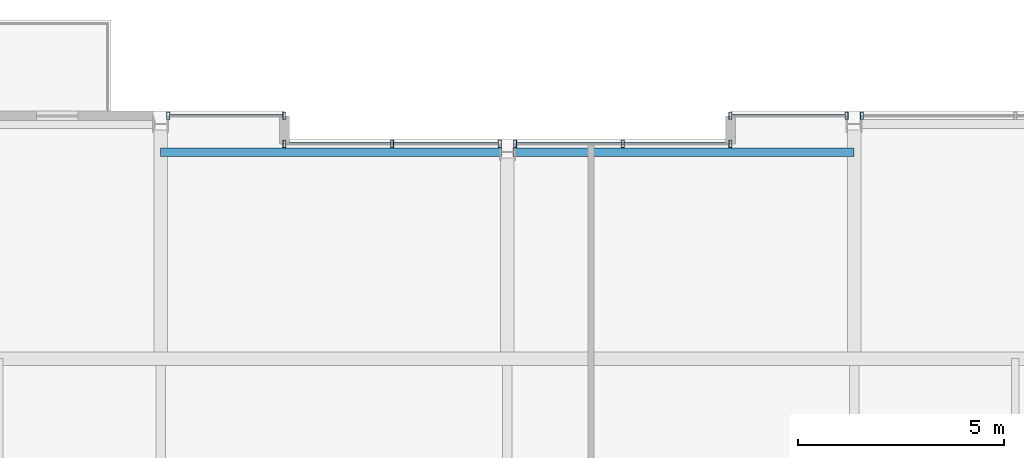
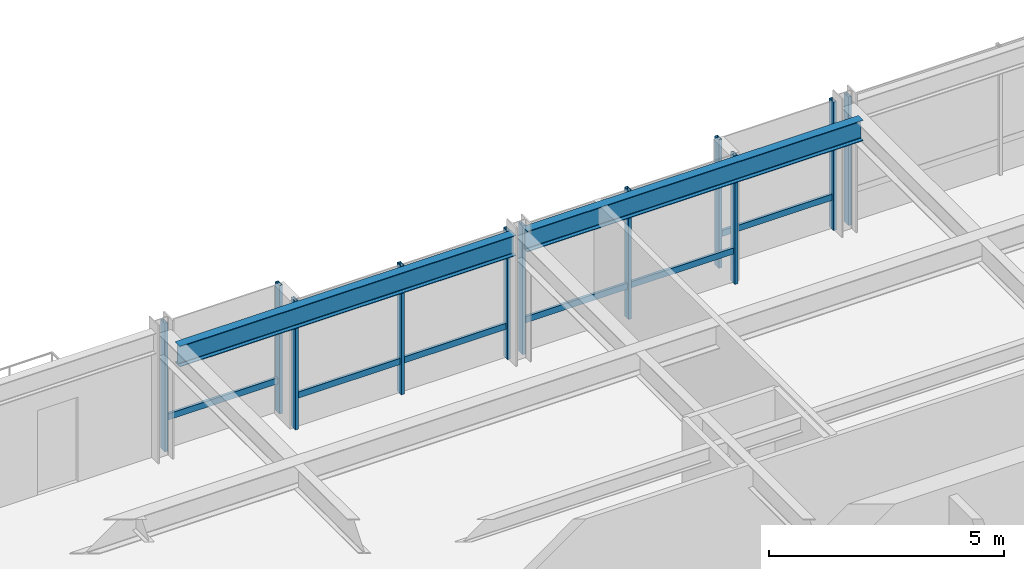
# One storey, part 21 of 32: 15 members, 2 beams, 5 elements without a shape of their own.
"""IFC4 building model written with IfcOpenShell, lengths in metres."""

from ifc_helpers import new_model, si_unit, direction, frame, origin, origin_2d, place, context, subcontext, project, spatial, hollow_rectangle, i_section, extrude, material, layer, layer_set, material_profile, profile_set, type_object, element, aggregate, save


model = new_model("IFC4")

# Units and contexts
model_context = context("Model", 3, precision=1e-05, world=origin(), true_north=direction((0.0, 1.0)))
body_context = subcontext(model_context, "Body", "Model", "MODEL_VIEW")
ifc_project = project(units=[si_unit("LENGTHUNIT", "METRE"), si_unit("AREAUNIT", "SQUARE_METRE"), si_unit("VOLUMEUNIT", "CUBIC_METRE"), si_unit("PLANEANGLEUNIT", "RADIAN"), si_unit("MASSUNIT", "GRAM", prefix="KILO")], contexts=[model_context])

# Site, building, storey
site_placement = place(None, origin())
site = spatial("IfcSite", under=ifc_project, at=site_placement, CompositionType="ELEMENT")
building_placement = place(site_placement, origin())
building = spatial("IfcBuilding", under=site, at=building_placement, Name="Drelvath Grand Hotel", CompositionType="ELEMENT")
storey_placement = place(building_placement, frame((0.0, 0.0, 223.10009765625)))
storey = spatial("IfcBuildingStorey", under=building, at=storey_placement, Name="L58", CompositionType="ELEMENT", Elevation=223.10009765625)

# Curtain wall, member
ifc_material_1 = material(Name="Platinum-Mist Anodised Aluminium Frame", Category="aluminium")
ifc_layer = layer(ifc_material_1, 0.199951171875)
ifc_layer_set = layer_set([ifc_layer], Name="Platinum-Mist Anodised Aluminium Frame")
curtain_wall_type = type_object("IfcCurtainWallType", Name="Stick Curtain Wall CW-05 Platinum Mist High-Rise", PredefinedType="NOTDEFINED", material=ifc_layer_set)
curtain_wall_1_placement = place(storey_placement, origin())
curtain_wall_1 = element("IfcCurtainWall", 1, at=curtain_wall_1_placement, inside=storey, type_object=curtain_wall_type, Name="L58 CW-05 Curtain Wall CW05-L58-NW3", PredefinedType="NOTDEFINED")
ifc_material_profile_1 = material_profile(ifc_material_1, hollow_rectangle(XDim=0.06494140625, YDim=0.159912109375, WallThickness=0.00390625, at=origin_2d()), Name="HSS160X65X4")
ifc_profile_set_1 = profile_set([ifc_material_profile_1], Name="Platinum-Mist Anodised Aluminium Frame")
member_type_1 = type_object("IfcMemberType", Name="Curtain Wall Horizontal Transom CW-05 HSS160X65X4", PredefinedType="USERDEFINED", material=ifc_profile_set_1)
member_1_placement = place(storey_placement, frame((-8.1748046875, 49.080078125, 0.8349609375), z_axis=(1.0, 0.0, 0.0), x_axis=(0.0, 1.0, 0.0)))
member_1 = element("IfcMember", 2, at=member_1_placement, type_object=member_type_1, Name="CW05-L58-NW3 Sill Transom", ObjectType="TRANSOM", PredefinedType="USERDEFINED", context=body_context, shape_type="SweptSolid", body=[
    extrude(hollow_rectangle(XDim=0.06494140625, YDim=0.159912109375, WallThickness=0.00390625, at=origin_2d()), origin(), (0.0, 0.0, 1.0), 2.73486328125),
])

curtain_wall_2_placement = place(storey_placement, origin())
curtain_wall_2 = element("IfcCurtainWall", 3, at=curtain_wall_2_placement, inside=storey, type_object=curtain_wall_type, Name="L58 CW-05 Curtain Wall CW05-L58-NM1", PredefinedType="NOTDEFINED")
member_2_placement = place(storey_placement, frame((-5.360107421875, 48.39990234375, 0.8349609375), z_axis=(1.0, 0.0, 0.0), x_axis=(0.0, 1.0, 0.0)))
member_2 = element("IfcMember", 4, at=member_2_placement, type_object=member_type_1, Name="CW05-L58-NM1 Sill Transom", ObjectType="TRANSOM", PredefinedType="USERDEFINED", context=body_context, shape_type="SweptSolid", body=[
    extrude(hollow_rectangle(XDim=0.06494140625, YDim=0.159912109375, WallThickness=0.00390625, at=origin_2d()), origin(), (0.0, 0.0, 1.0), 5.134765625),
])

curtain_wall_3_placement = place(storey_placement, origin())
curtain_wall_3 = element("IfcCurtainWall", 5, at=curtain_wall_3_placement, inside=storey, type_object=curtain_wall_type, Name="L58 CW-05 Curtain Wall CW05-L58-NM2", PredefinedType="NOTDEFINED")
member_3_placement = place(storey_placement, frame((0.225341796875, 48.39990234375, 0.8349609375), z_axis=(1.0, 0.0, 0.0), x_axis=(0.0, 1.0, 0.0)))
member_3 = element("IfcMember", 6, at=member_3_placement, type_object=member_type_1, Name="CW05-L58-NM2 Sill Transom", ObjectType="TRANSOM", PredefinedType="USERDEFINED", context=body_context, shape_type="SweptSolid", body=[
    extrude(hollow_rectangle(XDim=0.06494140625, YDim=0.159912109375, WallThickness=0.00390625, at=origin_2d()), origin(), (0.0, 0.0, 1.0), 5.134765625),
])

curtain_wall_4_placement = place(storey_placement, origin())
curtain_wall_4 = element("IfcCurtainWall", 7, at=curtain_wall_4_placement, inside=storey, type_object=curtain_wall_type, Name="L58 CW-05 Curtain Wall CW05-L58-NE1", PredefinedType="NOTDEFINED")
member_4_placement = place(storey_placement, frame((5.43994140625, 49.080078125, 0.8349609375), z_axis=(1.0, 0.0, 0.0), x_axis=(0.0, 1.0, 0.0)))
member_4 = element("IfcMember", 8, at=member_4_placement, type_object=member_type_1, Name="CW05-L58-NE1 Sill Transom", ObjectType="TRANSOM", PredefinedType="USERDEFINED", context=body_context, shape_type="SweptSolid", body=[
    extrude(hollow_rectangle(XDim=0.06494140625, YDim=0.159912109375, WallThickness=0.00390625, at=origin_2d()), origin(), (0.0, 0.0, 1.0), 2.73486328125),
])

# Member
ifc_material_profile_2 = material_profile(ifc_material_1, hollow_rectangle(XDim=0.074951171875, YDim=0.179931640625, WallThickness=0.0048828125, at=origin_2d()), Name="HSS180X75X5")
ifc_profile_set_2 = profile_set([ifc_material_profile_2], Name="Platinum-Mist Anodised Aluminium Frame")
member_type_2 = type_object("IfcMemberType", Name="Curtain Wall Vertical Mullion CW-05 HSS180X75X5", PredefinedType="MULLION", material=ifc_profile_set_2)
member_5_placement = place(storey_placement, frame((-8.214599609375, 49.080078125, 0.0), z_axis=(0.0, 0.0, 1.0), x_axis=(1.0, 0.0, 0.0)))
member_5 = element("IfcMember", 9, at=member_5_placement, type_object=member_type_2, Name="CW05-L58-NW3 Mullion 1", PredefinedType="MULLION", context=body_context, shape_type="SweptSolid", body=[
    extrude(hollow_rectangle(XDim=0.074951171875, YDim=0.179931640625, WallThickness=0.0048828125, at=origin_2d()), origin(), (0.0, 0.0, 1.0), 3.33984375),
])

member_6_placement = place(storey_placement, frame((-5.39990234375, 49.080078125, 0.0), z_axis=(0.0, 0.0, 1.0), x_axis=(1.0, 0.0, 0.0)))
member_6 = element("IfcMember", 10, at=member_6_placement, type_object=member_type_2, Name="CW05-L58-NW3 Mullion 2", PredefinedType="MULLION", context=body_context, shape_type="SweptSolid", body=[
    extrude(hollow_rectangle(XDim=0.074951171875, YDim=0.179931640625, WallThickness=0.0048828125, at=origin_2d()), origin(), (0.0, 0.0, 1.0), 3.33984375),
])

aggregate(curtain_wall_1, [member_5, member_6, member_1])

member_7_placement = place(storey_placement, frame((-5.39990234375, 48.39990234375, 0.0), z_axis=(0.0, 0.0, 1.0), x_axis=(1.0, 0.0, 0.0)))
member_7 = element("IfcMember", 11, at=member_7_placement, type_object=member_type_2, Name="CW05-L58-NM1 Mullion 1", PredefinedType="MULLION", context=body_context, shape_type="SweptSolid", body=[
    extrude(hollow_rectangle(XDim=0.074951171875, YDim=0.179931640625, WallThickness=0.0048828125, at=origin_2d()), origin(), (0.0, 0.0, 1.0), 3.33984375),
])

member_8_placement = place(storey_placement, frame((-2.792724609375, 48.39990234375, 0.0), z_axis=(0.0, 0.0, 1.0), x_axis=(1.0, 0.0, 0.0)))
member_8 = element("IfcMember", 12, at=member_8_placement, type_object=member_type_2, Name="CW05-L58-NM1 Mullion 2", PredefinedType="MULLION", context=body_context, shape_type="SweptSolid", body=[
    extrude(hollow_rectangle(XDim=0.074951171875, YDim=0.179931640625, WallThickness=0.0048828125, at=origin_2d()), origin(), (0.0, 0.0, 1.0), 3.33984375),
])

member_9_placement = place(storey_placement, frame((-0.185302734375, 48.39990234375, 0.0), z_axis=(0.0, 0.0, 1.0), x_axis=(1.0, 0.0, 0.0)))
member_9 = element("IfcMember", 13, at=member_9_placement, type_object=member_type_2, Name="CW05-L58-NM1 Mullion 3", PredefinedType="MULLION", context=body_context, shape_type="SweptSolid", body=[
    extrude(hollow_rectangle(XDim=0.074951171875, YDim=0.179931640625, WallThickness=0.0048828125, at=origin_2d()), origin(), (0.0, 0.0, 1.0), 3.33984375),
])

aggregate(curtain_wall_2, [member_7, member_8, member_9, member_2])

member_10_placement = place(storey_placement, frame((0.185302734375, 48.39990234375, 0.0), z_axis=(0.0, 0.0, 1.0), x_axis=(1.0, 0.0, 0.0)))
member_10 = element("IfcMember", 14, at=member_10_placement, type_object=member_type_2, Name="CW05-L58-NM2 Mullion 1", PredefinedType="MULLION", context=body_context, shape_type="SweptSolid", body=[
    extrude(hollow_rectangle(XDim=0.074951171875, YDim=0.179931640625, WallThickness=0.0048828125, at=origin_2d()), origin(), (0.0, 0.0, 1.0), 3.33984375),
])

member_11_placement = place(storey_placement, frame((2.792724609375, 48.39990234375, 0.0), z_axis=(0.0, 0.0, 1.0), x_axis=(1.0, 0.0, 0.0)))
member_11 = element("IfcMember", 15, at=member_11_placement, type_object=member_type_2, Name="CW05-L58-NM2 Mullion 2", PredefinedType="MULLION", context=body_context, shape_type="SweptSolid", body=[
    extrude(hollow_rectangle(XDim=0.074951171875, YDim=0.179931640625, WallThickness=0.0048828125, at=origin_2d()), origin(), (0.0, 0.0, 1.0), 3.33984375),
])

member_12_placement = place(storey_placement, frame((5.39990234375, 48.39990234375, 0.0), z_axis=(0.0, 0.0, 1.0), x_axis=(1.0, 0.0, 0.0)))
member_12 = element("IfcMember", 16, at=member_12_placement, type_object=member_type_2, Name="CW05-L58-NM2 Mullion 3", PredefinedType="MULLION", context=body_context, shape_type="SweptSolid", body=[
    extrude(hollow_rectangle(XDim=0.074951171875, YDim=0.179931640625, WallThickness=0.0048828125, at=origin_2d()), origin(), (0.0, 0.0, 1.0), 3.33984375),
])

aggregate(curtain_wall_3, [member_10, member_11, member_12, member_3])

member_13_placement = place(storey_placement, frame((5.39990234375, 49.080078125, 0.0), z_axis=(0.0, 0.0, 1.0), x_axis=(1.0, 0.0, 0.0)))
member_13 = element("IfcMember", 17, at=member_13_placement, type_object=member_type_2, Name="CW05-L58-NE1 Mullion 1", PredefinedType="MULLION", context=body_context, shape_type="SweptSolid", body=[
    extrude(hollow_rectangle(XDim=0.074951171875, YDim=0.179931640625, WallThickness=0.0048828125, at=origin_2d()), origin(), (0.0, 0.0, 1.0), 3.33984375),
])

member_14_placement = place(storey_placement, frame((8.214599609375, 49.080078125, 0.0), z_axis=(0.0, 0.0, 1.0), x_axis=(1.0, 0.0, 0.0)))
member_14 = element("IfcMember", 18, at=member_14_placement, type_object=member_type_2, Name="CW05-L58-NE1 Mullion 2", PredefinedType="MULLION", context=body_context, shape_type="SweptSolid", body=[
    extrude(hollow_rectangle(XDim=0.074951171875, YDim=0.179931640625, WallThickness=0.0048828125, at=origin_2d()), origin(), (0.0, 0.0, 1.0), 3.33984375),
])

aggregate(curtain_wall_4, [member_13, member_14, member_4])

# Curtain wall, member
curtain_wall_5_placement = place(storey_placement, origin())
curtain_wall_5 = element("IfcCurtainWall", 19, at=curtain_wall_5_placement, inside=storey, type_object=curtain_wall_type, Name="L58 CW-05 Curtain Wall CW05-L58-NE2", PredefinedType="NOTDEFINED")
member_15_placement = place(storey_placement, frame((8.585205078125, 49.080078125, 0.0), z_axis=(0.0, 0.0, 1.0), x_axis=(1.0, 0.0, 0.0)))
member_15 = element("IfcMember", 20, at=member_15_placement, type_object=member_type_2, Name="CW05-L58-NE2 Mullion 1", PredefinedType="MULLION", context=body_context, shape_type="SweptSolid", body=[
    extrude(hollow_rectangle(XDim=0.074951171875, YDim=0.179931640625, WallThickness=0.0048828125, at=origin_2d()), origin(), (0.0, 0.0, 1.0), 3.33984375),
])
aggregate(curtain_wall_5, [member_15])

# Beams
ifc_material_2 = material(Name="Steel ASTM A992 Gr 50", Category="steel")
ifc_material_profile_3 = material_profile(ifc_material_2, i_section(OverallWidth=0.210205078125, OverallDepth=0.53662109375, WebThickness=0.010986328125, FlangeThickness=0.017333984375, FilletRadius=0.01806640625, at=origin_2d()), Name="W21X68")
ifc_profile_set_3 = profile_set([ifc_material_profile_3], Name="Steel ASTM A992 Gr 50")
beam_type = type_object("IfcBeamType", Name="Perimeter Spandrel Beam W21X68", PredefinedType="SPANDREL", material=ifc_profile_set_3)
for number, where, z_axis, x_axis, name in (
    (21, (-8.39990234375, 48.199951171875, 3.071533203125), (1.0, 0.0, 0.0), (0.0, 1.0, 0.0), "L58 Spandrel North Mid W"),
    (22, (0.139892578125, 48.199951171875, 3.071533203125), (1.0, 0.0, 0.0), (0.0, 1.0, 0.0), "L58 Spandrel North Mid E"),
):
    element("IfcBeam", number, at=place(storey_placement, frame(where, z_axis=z_axis, x_axis=x_axis)), inside=storey, type_object=beam_type, Name=name, PredefinedType="SPANDREL", context=body_context, shape_type="SweptSolid", body=[
        extrude(i_section(OverallWidth=0.210205078125, OverallDepth=0.53662109375, WebThickness=0.010986328125, FlangeThickness=0.017333984375, FilletRadius=0.01806640625, at=origin_2d()), origin(), (0.0, 0.0, 1.0), 8.260009765625),
    ])

save(model, "model.ifc")
